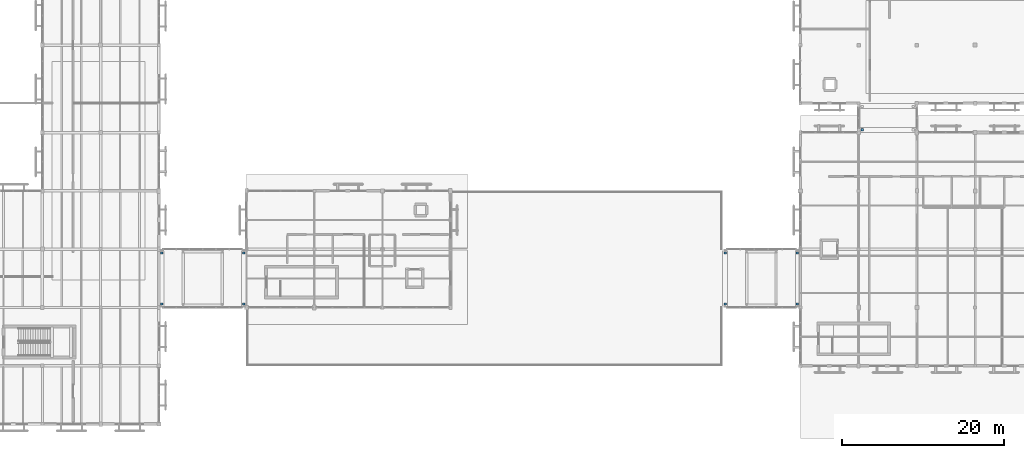
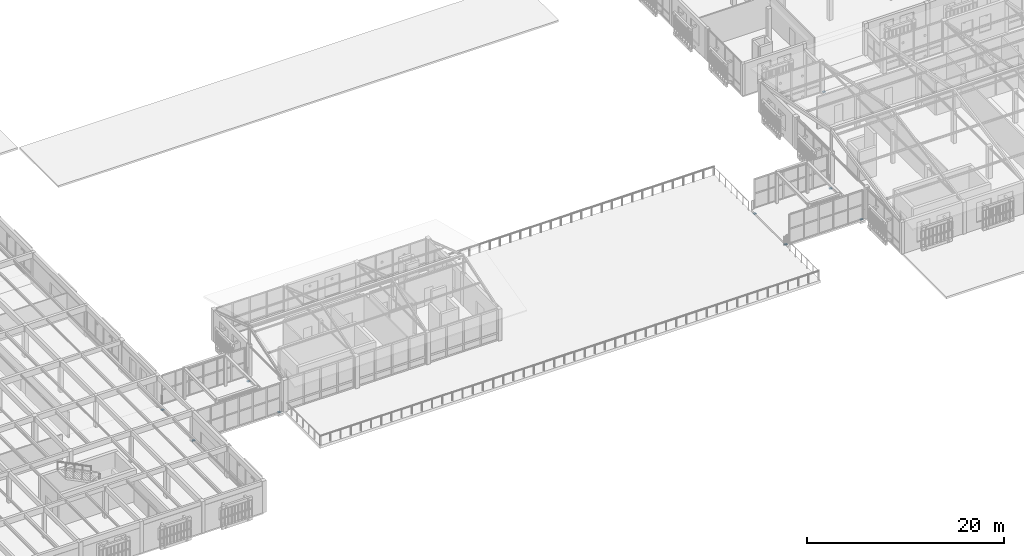
# One storey, part 94 of 112: 9 discrete accessories.
"""IFC4 building model written with IfcOpenShell, lengths in metres."""

from ifc_helpers import new_model, si_unit, direction, frame, origin, origin_2d, place, context, subcontext, project, spatial, rectangle, extrude, material, type_object, element, save


model = new_model("IFC4")

# Units and contexts
model_context = context("Model", 3, precision=1e-05, world=origin(), true_north=direction((0.0, 1.0)))
body_context = subcontext(model_context, "Body", "Model", "MODEL_VIEW")
ifc_project = project(units=[si_unit("LENGTHUNIT", "METRE"), si_unit("AREAUNIT", "SQUARE_METRE"), si_unit("VOLUMEUNIT", "CUBIC_METRE"), si_unit("PLANEANGLEUNIT", "RADIAN"), si_unit("MASSUNIT", "GRAM", prefix="KILO")], contexts=[model_context])

# Site, building, storey
site_placement = place(None, origin())
site = spatial("IfcSite", under=ifc_project, at=site_placement, CompositionType="ELEMENT")
building_placement = place(site_placement, origin())
building = spatial("IfcBuilding", under=site, at=building_placement, Name="Mazaris Harbour Polytechnic", CompositionType="ELEMENT")
storey_placement = place(building_placement, frame((0.0, 0.0, 13.800048828125)))
storey = spatial("IfcBuildingStorey", under=building, at=storey_placement, Name="L03", CompositionType="ELEMENT", Elevation=13.800048828125)

# Discrete accessories
ifc_material = material(Name="Steel S355", Category="steel")
discrete_accessory_type = type_object("IfcDiscreteAccessoryType", Name="PTFE Sliding Bridge Bearing 300x250x65 Exterior", PredefinedType="BRACKET", material=ifc_material)
for number, where, z_axis, x_axis, name in (
    (1, (43.550048828125, 22.050048828125, -0.330078125), (0.0, 0.0, 1.0), (1.0, 0.0, 0.0), "PB-W1 L03 PTFE Sliding Bearing W1"),
    (2, (43.550048828125, 28.35009765625, -0.330078125), (0.0, 0.0, 1.0), (1.0, 0.0, 0.0), "PB-W1 L03 PTFE Sliding Bearing W2"),
    (3, (53.64990234375, 22.050048828125, -0.330078125), (0.0, 0.0, 1.0), (1.0, 0.0, 0.0), "PB-W1 L03 PTFE Sliding Bearing E1"),
    (4, (53.64990234375, 28.35009765625, -0.330078125), (0.0, 0.0, 1.0), (1.0, 0.0, 0.0), "PB-W1 L03 PTFE Sliding Bearing E2"),
    (5, (113.14990234375, 22.050048828125, -0.330078125), (0.0, 0.0, 1.0), (1.0, 0.0, 0.0), "PB-E1 L03 PTFE Sliding Bearing W1"),
    (6, (113.14990234375, 28.35009765625, -0.330078125), (0.0, 0.0, 1.0), (1.0, 0.0, 0.0), "PB-E1 L03 PTFE Sliding Bearing W2"),
    (7, (122.050048828125, 22.050048828125, -0.330078125), (0.0, 0.0, 1.0), (1.0, 0.0, 0.0), "PB-E1 L03 PTFE Sliding Bearing E1"),
    (8, (122.050048828125, 28.35009765625, -0.330078125), (0.0, 0.0, 1.0), (1.0, 0.0, 0.0), "PB-E1 L03 PTFE Sliding Bearing E2"),
    (9, (130.050048828125, 43.550048828125, -0.330078125), (0.0, 0.0, 1.0), (1.0, 0.0, 0.0), "PB-NE L03 PTFE Sliding Bearing S1"),
):
    element("IfcDiscreteAccessory", number, at=place(storey_placement, frame(where, z_axis=z_axis, x_axis=x_axis)), inside=storey, type_object=discrete_accessory_type, Name=name, PredefinedType="BRACKET", context=body_context, shape_type="SweptSolid", body=[
        extrude(rectangle(XDim=0.300048828125, YDim=0.25, at=origin_2d()), origin(), (0.0, 0.0, 1.0), 0.06494140625),
    ])

save(model, "model.ifc")
